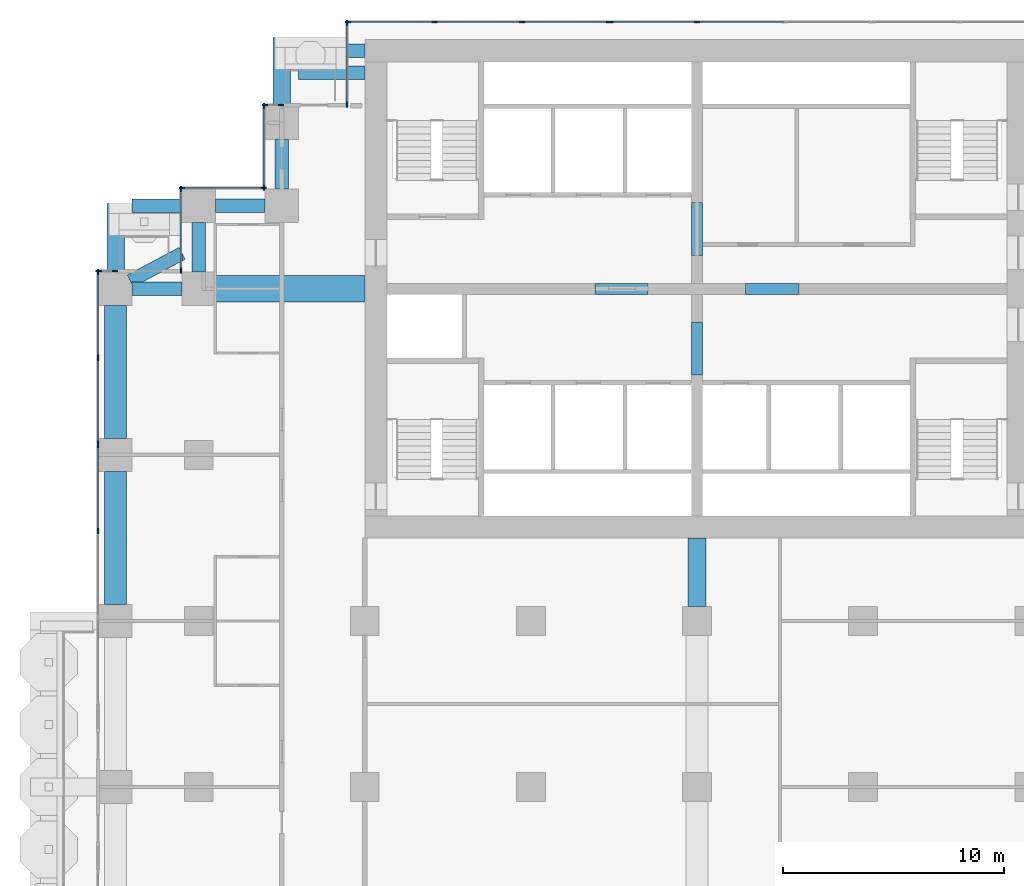
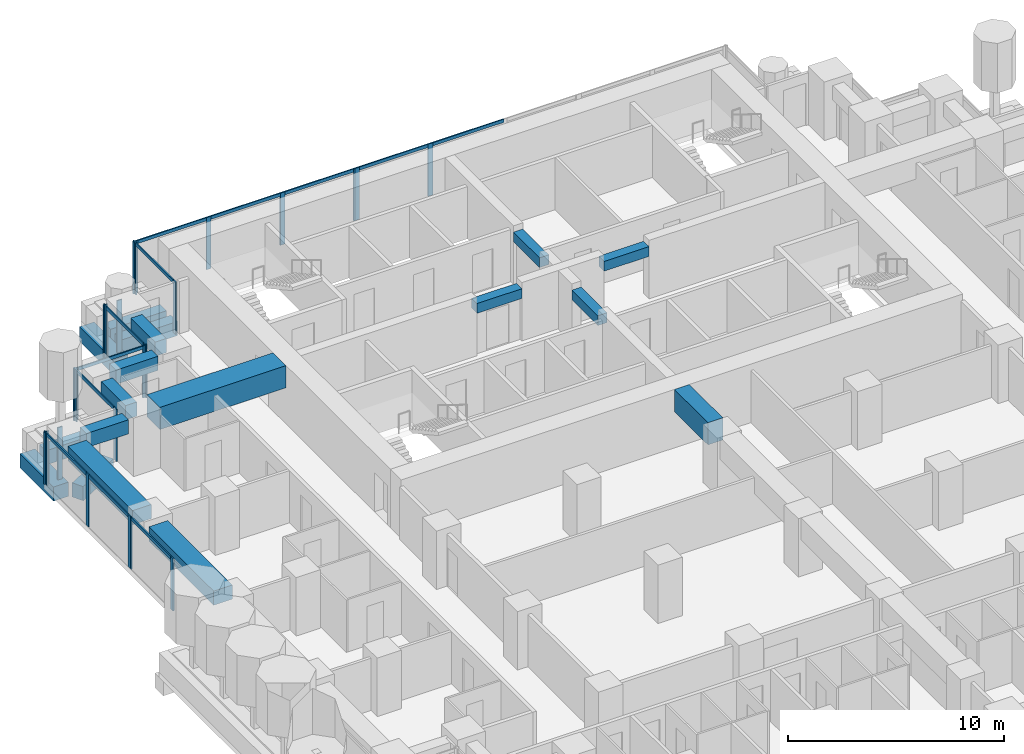
# One storey, part 5 of 20: 35 members, 18 beams, 10 elements without a shape of their own.
"""IFC4 building model written with IfcOpenShell, lengths in metres."""

from ifc_helpers import new_model, si_unit, direction, frame, origin, origin_2d, place, context, subcontext, project, spatial, rectangle, extrude, material, material_profile, profile_set, type_object, element, aggregate, save


model = new_model("IFC4")

# Units and contexts
model_context = context("Model", 3, precision=1e-05, world=origin(), true_north=direction((0.0, 1.0)))
body_context = subcontext(model_context, "Body", "Model", "MODEL_VIEW")
ifc_project = project(units=[si_unit("LENGTHUNIT", "METRE"), si_unit("AREAUNIT", "SQUARE_METRE"), si_unit("VOLUMEUNIT", "CUBIC_METRE"), si_unit("PLANEANGLEUNIT", "RADIAN"), si_unit("MASSUNIT", "GRAM", prefix="KILO")], contexts=[model_context])

# Site, building, storey
site_placement = place(None, origin())
site = spatial("IfcSite", under=ifc_project, at=site_placement, CompositionType="ELEMENT")
building_placement = place(site_placement, origin())
building = spatial("IfcBuilding", under=site, at=building_placement, Name="Pilkhan Gate Tower", CompositionType="ELEMENT")
storey_placement = place(building_placement, frame((0.0, 0.0, 98.89990234375)))
storey = spatial("IfcBuildingStorey", under=building, at=storey_placement, Name="L24", CompositionType="ELEMENT", Elevation=98.89990234375)

# Beams
ifc_material_1 = material(Name="Concrete C50/60", Category="concrete")
ifc_material_profile_1 = material_profile(ifc_material_1, rectangle(XDim=0.60009765625, YDim=0.800048828125, at=origin_2d()), Name="RC 600x800")
ifc_profile_set_1 = profile_set([ifc_material_profile_1], Name="Concrete C50/60")
beam_type_1 = type_object("IfcBeamType", Name="Cantilever beam CB1 RC 600x800 C50/60", PredefinedType="BEAM", material=ifc_profile_set_1)
for number, where, z_axis, x_axis, name in (
    (1, (60.0, 93.25, -0.699951171875), (-1.0, 0.0, 0.0), (0.0, -1.0, 0.0), "Balcony beam NW.2 L24"),
    (2, (60.0, 92.25, -0.699951171875), (-1.0, 0.0, 0.0), (0.0, -1.0, 0.0), "Balcony beam NW.3 L24"),
):
    element("IfcBeam", number, at=place(storey_placement, frame(where, z_axis=z_axis, x_axis=x_axis)), inside=storey, type_object=beam_type_1, Name=name, PredefinedType="BEAM", context=body_context, shape_type="SweptSolid", body=[
        extrude(rectangle(XDim=0.60009765625, YDim=0.800048828125, at=origin_2d()), origin(), (0.0, 0.0, 1.0), 3.0),
    ])
beam_1_placement = place(storey_placement, frame((51.75, 86.25, -0.699951171875), z_axis=(-1.0, 0.0, 0.0), x_axis=(0.0, -1.0, 0.0)))
element("IfcBeam", 3, at=beam_1_placement, inside=storey, type_object=beam_type_1, Name="Balcony beam NW2.2 L24", PredefinedType="BEAM", context=body_context, shape_type="SweptSolid", body=[
    extrude(rectangle(XDim=0.60009765625, YDim=0.800048828125, at=origin_2d()), origin(), (0.0, 0.0, 1.0), 2.25),
])
beam_2_placement = place(storey_placement, frame((49.411865234375, 82.85302734375, -0.699951171875), z_axis=(0.882342739565, 0.470607362817, 0.0), x_axis=(-0.470607362817, 0.882342739565, 0.0)))
element("IfcBeam", 4, at=beam_2_placement, inside=storey, type_object=beam_type_1, Name="Balcony beam NW2.3 L24", PredefinedType="BEAM", context=body_context, shape_type="SweptSolid", body=[
    extrude(rectangle(XDim=0.60009765625, YDim=0.800048828125, at=origin_2d()), origin(), (0.0, 0.0, 1.0), 2.64990234375),
])
ifc_material_profile_2 = material_profile(ifc_material_1, rectangle(XDim=0.800048828125, YDim=0.800048828125, at=origin_2d()), Name="RC 800x800")
ifc_profile_set_2 = profile_set([ifc_material_profile_2], Name="Concrete C50/60")
beam_type_2 = type_object("IfcBeamType", Name="Cantilever beam CB2 RC 800x800 C50/60", PredefinedType="BEAM", material=ifc_profile_set_2)
for number, where, z_axis, x_axis, name in (
    (5, (56.25, 90.75, -0.699951171875), (0.0, 1.0, 0.0), (-1.0, 0.0, 0.0), "Balcony beam NW.1 L24"),
    (6, (48.75, 83.25, -0.699951171875), (0.0, 1.0, 0.0), (-1.0, 0.0, 0.0), "Balcony beam NW2.1 L24"),
):
    element("IfcBeam", number, at=place(storey_placement, frame(where, z_axis=z_axis, x_axis=x_axis)), inside=storey, type_object=beam_type_2, Name=name, PredefinedType="BEAM", context=body_context, shape_type="SweptSolid", body=[
        extrude(rectangle(XDim=0.800048828125, YDim=0.800048828125, at=origin_2d()), origin(), (0.0, 0.0, 1.0), 3.10009765625),
    ])
ifc_material_2 = material(Name="Concrete C70/85", Category="concrete")
ifc_material_profile_3 = material_profile(ifc_material_2, rectangle(XDim=0.5, YDim=0.550048828125, at=origin_2d()), Name="RC 500x550")
ifc_profile_set_3 = profile_set([ifc_material_profile_3], Name="Concrete C70/85")
beam_type_3 = type_object("IfcBeamType", Name="Coupling beam CB55 RC 500x550 C70/85", PredefinedType="LINTEL", material=ifc_profile_set_3)
for number, where, z_axis, x_axis, name in (
    (7, (70.39990234375, 82.5, 2.675048828125), (1.0, 0.0, 0.0), (0.0, 1.0, 0.0), "Coupling beam 1 L24"),
    (8, (77.199951171875, 82.5, 2.675048828125), (1.0, 0.0, 0.0), (0.0, 1.0, 0.0), "Coupling beam 2 L24"),
):
    element("IfcBeam", number, at=place(storey_placement, frame(where, z_axis=z_axis, x_axis=x_axis)), inside=storey, type_object=beam_type_3, Name=name, PredefinedType="LINTEL", context=body_context, shape_type="SweptSolid", body=[
        extrude(rectangle(XDim=0.5, YDim=0.550048828125, at=origin_2d()), origin(), (0.0, 0.0, 1.0), 2.400146484375),
    ])
for number, where, z_axis, x_axis, name in (
    (9, (75.0, 78.60009765625, 2.675048828125), (0.0, 1.0, 0.0), (-1.0, 0.0, 0.0), "Coupling beam 3 L24"),
    (10, (75.0, 84.0, 2.675048828125), (0.0, 1.0, 0.0), (-1.0, 0.0, 0.0), "Coupling beam 4 L24"),
):
    element("IfcBeam", number, at=place(storey_placement, frame(where, z_axis=z_axis, x_axis=x_axis)), inside=storey, type_object=beam_type_3, Name=name, PredefinedType="LINTEL", context=body_context, shape_type="SweptSolid", body=[
        extrude(rectangle(XDim=0.5, YDim=0.550048828125, at=origin_2d()), origin(), (0.0, 0.0, 1.0), 2.39990234375),
    ])

# Curtain wall, members
ifc_material_3 = material(Name="Pale anodised aluminium, clear low-iron double glazing", Category="aluminium")
curtain_wall_type = type_object("IfcCurtainWallType", Name="Hotel unitised curtain wall CW-H", PredefinedType="USERDEFINED", material=ifc_material_3)
curtain_wall_1_placement = place(storey_placement, origin())
curtain_wall_1 = element("IfcCurtainWall", 11, at=curtain_wall_1_placement, inside=storey, type_object=curtain_wall_type, Name="Hotel unitised curtain wall CW-H L24 N", ObjectType="UNITISED CURTAIN WALL", PredefinedType="USERDEFINED")
ifc_material_4 = material(Name="Pale anodised aluminium", Category="aluminium")
ifc_material_profile_4 = material_profile(ifc_material_4, rectangle(XDim=0.06494140625, YDim=0.25, at=origin_2d()), Name="Mullion 250x65")
ifc_profile_set_4 = profile_set([ifc_material_profile_4], Name="Pale anodised aluminium")
member_type_1 = type_object("IfcMemberType", Name="Mullion CW-H 250x65", PredefinedType="MULLION", material=ifc_profile_set_4)
member_1_placement = place(storey_placement, frame((59.237548828125, 94.544921875, 0.0), z_axis=(0.0, 0.0, 1.0), x_axis=(0.0, 1.0, 0.0)))
member_1 = element("IfcMember", 12, at=member_1_placement, type_object=member_type_1, Name="CW-H mullion 1", PredefinedType="MULLION", context=body_context, shape_type="SweptSolid", body=[
    extrude(rectangle(XDim=0.06494140625, YDim=0.25, at=origin_2d()), origin(), (0.0, 0.0, 1.0), 2.9501953125),
])
member_2_placement = place(storey_placement, frame((63.15380859375, 94.544921875, 0.0), z_axis=(0.0, 0.0, 1.0), x_axis=(0.0, 1.0, 0.0)))
member_2 = element("IfcMember", 13, at=member_2_placement, type_object=member_type_1, Name="CW-H mullion 2", PredefinedType="MULLION", context=body_context, shape_type="SweptSolid", body=[
    extrude(rectangle(XDim=0.06494140625, YDim=0.25, at=origin_2d()), origin(), (0.0, 0.0, 1.0), 2.9501953125),
])
member_3_placement = place(storey_placement, frame((67.1025390625, 94.544921875, 0.0), z_axis=(0.0, 0.0, 1.0), x_axis=(0.0, 1.0, 0.0)))
member_3 = element("IfcMember", 14, at=member_3_placement, type_object=member_type_1, Name="CW-H mullion 3", PredefinedType="MULLION", context=body_context, shape_type="SweptSolid", body=[
    extrude(rectangle(XDim=0.06494140625, YDim=0.25, at=origin_2d()), origin(), (0.0, 0.0, 1.0), 2.9501953125),
])
member_4_placement = place(storey_placement, frame((71.018798828125, 94.544921875, 0.0), z_axis=(0.0, 0.0, 1.0), x_axis=(0.0, 1.0, 0.0)))
member_4 = element("IfcMember", 15, at=member_4_placement, type_object=member_type_1, Name="CW-H mullion 4", PredefinedType="MULLION", context=body_context, shape_type="SweptSolid", body=[
    extrude(rectangle(XDim=0.06494140625, YDim=0.25, at=origin_2d()), origin(), (0.0, 0.0, 1.0), 2.9501953125),
])

curtain_wall_2_placement = place(storey_placement, origin())
curtain_wall_2 = element("IfcCurtainWall", 16, at=curtain_wall_2_placement, inside=storey, type_object=curtain_wall_type, Name="Hotel unitised curtain wall CW-H L24 N", ObjectType="UNITISED CURTAIN WALL", PredefinedType="USERDEFINED")
member_5_placement = place(storey_placement, frame((71.083740234375, 94.544921875, 0.0), z_axis=(0.0, 0.0, 1.0), x_axis=(0.0, 1.0, 0.0)))
member_5 = element("IfcMember", 17, at=member_5_placement, type_object=member_type_1, Name="CW-H mullion 1", PredefinedType="MULLION", context=body_context, shape_type="SweptSolid", body=[
    extrude(rectangle(XDim=0.06494140625, YDim=0.25, at=origin_2d()), origin(), (0.0, 0.0, 1.0), 2.9501953125),
])
member_6_placement = place(storey_placement, frame((75.0, 94.544921875, 0.0), z_axis=(0.0, 0.0, 1.0), x_axis=(0.0, 1.0, 0.0)))
member_6 = element("IfcMember", 18, at=member_6_placement, type_object=member_type_1, Name="CW-H mullion 2", PredefinedType="MULLION", context=body_context, shape_type="SweptSolid", body=[
    extrude(rectangle(XDim=0.06494140625, YDim=0.25, at=origin_2d()), origin(), (0.0, 0.0, 1.0), 2.9501953125),
])

curtain_wall_3_placement = place(storey_placement, origin())
curtain_wall_3 = element("IfcCurtainWall", 19, at=curtain_wall_3_placement, inside=storey, type_object=curtain_wall_type, Name="Hotel unitised curtain wall CW-H L24 W", ObjectType="UNITISED CURTAIN WALL", PredefinedType="USERDEFINED")
member_7_placement = place(storey_placement, frame((59.205078125, 90.827392578125, 0.0), z_axis=(0.0, 0.0, 1.0), x_axis=(-1.0, 0.0, 0.0)))
member_7 = element("IfcMember", 20, at=member_7_placement, type_object=member_type_1, Name="CW-H mullion 1", PredefinedType="MULLION", context=body_context, shape_type="SweptSolid", body=[
    extrude(rectangle(XDim=0.06494140625, YDim=0.25, at=origin_2d()), origin(), (0.0, 0.0, 1.0), 2.9501953125),
])
member_8_placement = place(storey_placement, frame((59.205078125, 94.512451171875, 0.0), z_axis=(0.0, 0.0, 1.0), x_axis=(-1.0, 0.0, 0.0)))
member_8 = element("IfcMember", 21, at=member_8_placement, type_object=member_type_1, Name="CW-H mullion 2", PredefinedType="MULLION", context=body_context, shape_type="SweptSolid", body=[
    extrude(rectangle(XDim=0.06494140625, YDim=0.25, at=origin_2d()), origin(), (0.0, 0.0, 1.0), 2.9501953125),
])

curtain_wall_4_placement = place(storey_placement, origin())
curtain_wall_4 = element("IfcCurtainWall", 22, at=curtain_wall_4_placement, inside=storey, type_object=curtain_wall_type, Name="Hotel unitised curtain wall CW-H L24 N", ObjectType="UNITISED CURTAIN WALL", PredefinedType="USERDEFINED")
member_9_placement = place(storey_placement, frame((55.487548828125, 90.794921875, 0.0), z_axis=(0.0, 0.0, 1.0), x_axis=(0.0, 1.0, 0.0)))
member_9 = element("IfcMember", 23, at=member_9_placement, type_object=member_type_1, Name="CW-H mullion 1", PredefinedType="MULLION", context=body_context, shape_type="SweptSolid", body=[
    extrude(rectangle(XDim=0.06494140625, YDim=0.25, at=origin_2d()), origin(), (0.0, 0.0, 1.0), 2.9501953125),
])
member_10_placement = place(storey_placement, frame((56.217529296875, 90.794921875, 0.0), z_axis=(0.0, 0.0, 1.0), x_axis=(0.0, 1.0, 0.0)))
member_10 = element("IfcMember", 24, at=member_10_placement, type_object=member_type_1, Name="CW-H mullion 2", PredefinedType="MULLION", context=body_context, shape_type="SweptSolid", body=[
    extrude(rectangle(XDim=0.06494140625, YDim=0.25, at=origin_2d()), origin(), (0.0, 0.0, 1.0), 2.9501953125),
])
aggregate(curtain_wall_4, [member_9, member_10])

curtain_wall_5_placement = place(storey_placement, origin())
curtain_wall_5 = element("IfcCurtainWall", 25, at=curtain_wall_5_placement, inside=storey, type_object=curtain_wall_type, Name="Hotel unitised curtain wall CW-H L24 W", ObjectType="UNITISED CURTAIN WALL", PredefinedType="USERDEFINED")
member_11_placement = place(storey_placement, frame((55.455078125, 87.077392578125, 0.0), z_axis=(0.0, 0.0, 1.0), x_axis=(-1.0, 0.0, 0.0)))
member_11 = element("IfcMember", 26, at=member_11_placement, type_object=member_type_1, Name="CW-H mullion 1", PredefinedType="MULLION", context=body_context, shape_type="SweptSolid", body=[
    extrude(rectangle(XDim=0.06494140625, YDim=0.25, at=origin_2d()), origin(), (0.0, 0.0, 1.0), 2.9501953125),
])
member_12_placement = place(storey_placement, frame((55.455078125, 90.762451171875, 0.0), z_axis=(0.0, 0.0, 1.0), x_axis=(-1.0, 0.0, 0.0)))
member_12 = element("IfcMember", 27, at=member_12_placement, type_object=member_type_1, Name="CW-H mullion 2", PredefinedType="MULLION", context=body_context, shape_type="SweptSolid", body=[
    extrude(rectangle(XDim=0.06494140625, YDim=0.25, at=origin_2d()), origin(), (0.0, 0.0, 1.0), 2.9501953125),
])

curtain_wall_6_placement = place(storey_placement, origin())
curtain_wall_6 = element("IfcCurtainWall", 28, at=curtain_wall_6_placement, inside=storey, type_object=curtain_wall_type, Name="Hotel unitised curtain wall CW-H L24 N", ObjectType="UNITISED CURTAIN WALL", PredefinedType="USERDEFINED")
member_13_placement = place(storey_placement, frame((51.737548828125, 87.044921875, 0.0), z_axis=(0.0, 0.0, 1.0), x_axis=(0.0, 1.0, 0.0)))
member_13 = element("IfcMember", 29, at=member_13_placement, type_object=member_type_1, Name="CW-H mullion 1", PredefinedType="MULLION", context=body_context, shape_type="SweptSolid", body=[
    extrude(rectangle(XDim=0.06494140625, YDim=0.25, at=origin_2d()), origin(), (0.0, 0.0, 1.0), 2.9501953125),
])
member_14_placement = place(storey_placement, frame((55.422607421875, 87.044921875, 0.0), z_axis=(0.0, 0.0, 1.0), x_axis=(0.0, 1.0, 0.0)))
member_14 = element("IfcMember", 30, at=member_14_placement, type_object=member_type_1, Name="CW-H mullion 2", PredefinedType="MULLION", context=body_context, shape_type="SweptSolid", body=[
    extrude(rectangle(XDim=0.06494140625, YDim=0.25, at=origin_2d()), origin(), (0.0, 0.0, 1.0), 2.9501953125),
])

curtain_wall_7_placement = place(storey_placement, origin())
curtain_wall_7 = element("IfcCurtainWall", 31, at=curtain_wall_7_placement, inside=storey, type_object=curtain_wall_type, Name="Hotel unitised curtain wall CW-H L24 W", ObjectType="UNITISED CURTAIN WALL", PredefinedType="USERDEFINED")
member_15_placement = place(storey_placement, frame((51.705078125, 83.327392578125, 0.0), z_axis=(0.0, 0.0, 1.0), x_axis=(-1.0, 0.0, 0.0)))
member_15 = element("IfcMember", 32, at=member_15_placement, type_object=member_type_1, Name="CW-H mullion 1", PredefinedType="MULLION", context=body_context, shape_type="SweptSolid", body=[
    extrude(rectangle(XDim=0.06494140625, YDim=0.25, at=origin_2d()), origin(), (0.0, 0.0, 1.0), 2.9501953125),
])
member_16_placement = place(storey_placement, frame((51.705078125, 87.012451171875, 0.0), z_axis=(0.0, 0.0, 1.0), x_axis=(-1.0, 0.0, 0.0)))
member_16 = element("IfcMember", 33, at=member_16_placement, type_object=member_type_1, Name="CW-H mullion 2", PredefinedType="MULLION", context=body_context, shape_type="SweptSolid", body=[
    extrude(rectangle(XDim=0.06494140625, YDim=0.25, at=origin_2d()), origin(), (0.0, 0.0, 1.0), 2.9501953125),
])

curtain_wall_8_placement = place(storey_placement, origin())
curtain_wall_8 = element("IfcCurtainWall", 34, at=curtain_wall_8_placement, inside=storey, type_object=curtain_wall_type, Name="Hotel unitised curtain wall CW-H L24 N", ObjectType="UNITISED CURTAIN WALL", PredefinedType="USERDEFINED")
member_17_placement = place(storey_placement, frame((47.987548828125, 83.294921875, 0.0), z_axis=(0.0, 0.0, 1.0), x_axis=(0.0, 1.0, 0.0)))
member_17 = element("IfcMember", 35, at=member_17_placement, type_object=member_type_1, Name="CW-H mullion 1", PredefinedType="MULLION", context=body_context, shape_type="SweptSolid", body=[
    extrude(rectangle(XDim=0.06494140625, YDim=0.25, at=origin_2d()), origin(), (0.0, 0.0, 1.0), 2.9501953125),
])
member_18_placement = place(storey_placement, frame((48.717529296875, 83.294921875, 0.0), z_axis=(0.0, 0.0, 1.0), x_axis=(0.0, 1.0, 0.0)))
member_18 = element("IfcMember", 36, at=member_18_placement, type_object=member_type_1, Name="CW-H mullion 2", PredefinedType="MULLION", context=body_context, shape_type="SweptSolid", body=[
    extrude(rectangle(XDim=0.06494140625, YDim=0.25, at=origin_2d()), origin(), (0.0, 0.0, 1.0), 2.9501953125),
])
aggregate(curtain_wall_8, [member_17, member_18])

curtain_wall_9_placement = place(storey_placement, origin())
curtain_wall_9 = element("IfcCurtainWall", 37, at=curtain_wall_9_placement, inside=storey, type_object=curtain_wall_type, Name="Hotel unitised curtain wall CW-H L24 W", ObjectType="UNITISED CURTAIN WALL", PredefinedType="USERDEFINED")
member_19_placement = place(storey_placement, frame((47.955078125, 71.568115234375, 0.0), z_axis=(0.0, 0.0, 1.0), x_axis=(-1.0, 0.0, 0.0)))
member_19 = element("IfcMember", 38, at=member_19_placement, type_object=member_type_1, Name="CW-H mullion 3", PredefinedType="MULLION", context=body_context, shape_type="SweptSolid", body=[
    extrude(rectangle(XDim=0.06494140625, YDim=0.25, at=origin_2d()), origin(), (0.0, 0.0, 1.0), 2.9501953125),
])
member_20_placement = place(storey_placement, frame((47.955078125, 75.444580078125, 0.0), z_axis=(0.0, 0.0, 1.0), x_axis=(-1.0, 0.0, 0.0)))
member_20 = element("IfcMember", 39, at=member_20_placement, type_object=member_type_1, Name="CW-H mullion 4", PredefinedType="MULLION", context=body_context, shape_type="SweptSolid", body=[
    extrude(rectangle(XDim=0.06494140625, YDim=0.25, at=origin_2d()), origin(), (0.0, 0.0, 1.0), 2.9501953125),
])

curtain_wall_10_placement = place(storey_placement, origin())
curtain_wall_10 = element("IfcCurtainWall", 40, at=curtain_wall_10_placement, inside=storey, type_object=curtain_wall_type, Name="Hotel unitised curtain wall CW-H L24 W", ObjectType="UNITISED CURTAIN WALL", PredefinedType="USERDEFINED")
member_21_placement = place(storey_placement, frame((47.955078125, 75.509521484375, 0.0), z_axis=(0.0, 0.0, 1.0), x_axis=(-1.0, 0.0, 0.0)))
member_21 = element("IfcMember", 41, at=member_21_placement, type_object=member_type_1, Name="CW-H mullion 1", PredefinedType="MULLION", context=body_context, shape_type="SweptSolid", body=[
    extrude(rectangle(XDim=0.06494140625, YDim=0.25, at=origin_2d()), origin(), (0.0, 0.0, 1.0), 2.9501953125),
])
member_22_placement = place(storey_placement, frame((47.955078125, 79.385986328125, 0.0), z_axis=(0.0, 0.0, 1.0), x_axis=(-1.0, 0.0, 0.0)))
member_22 = element("IfcMember", 42, at=member_22_placement, type_object=member_type_1, Name="CW-H mullion 2", PredefinedType="MULLION", context=body_context, shape_type="SweptSolid", body=[
    extrude(rectangle(XDim=0.06494140625, YDim=0.25, at=origin_2d()), origin(), (0.0, 0.0, 1.0), 2.9501953125),
])
member_23_placement = place(storey_placement, frame((47.955078125, 83.262451171875, 0.0), z_axis=(0.0, 0.0, 1.0), x_axis=(-1.0, 0.0, 0.0)))
member_23 = element("IfcMember", 43, at=member_23_placement, type_object=member_type_1, Name="CW-H mullion 3", PredefinedType="MULLION", context=body_context, shape_type="SweptSolid", body=[
    extrude(rectangle(XDim=0.06494140625, YDim=0.25, at=origin_2d()), origin(), (0.0, 0.0, 1.0), 2.9501953125),
])

# Beams
ifc_material_5 = material(Name="Concrete C60/75", Category="concrete")
ifc_material_profile_5 = material_profile(ifc_material_5, rectangle(XDim=0.800048828125, YDim=1.25, at=origin_2d()), Name="RC 800x1250")
ifc_profile_set_5 = profile_set([ifc_material_profile_5], Name="Concrete C60/75")
beam_type_4 = type_object("IfcBeamType", Name="Outrigger support beam OB1 RC 800x1250 C60/75", PredefinedType="BEAM", material=ifc_profile_set_5)
beam_3_placement = place(storey_placement, frame((75.0, 68.14990234375, 2.675048828125), z_axis=(0.0, 1.0, 0.0), x_axis=(-1.0, 0.0, 0.0)))
element("IfcBeam", 44, at=beam_3_placement, inside=storey, type_object=beam_type_4, Name="Outrigger support beam 4 L25", PredefinedType="BEAM", context=body_context, shape_type="SweptSolid", body=[
    extrude(rectangle(XDim=0.800048828125, YDim=1.25, at=origin_2d()), origin(), (0.0, 0.0, 1.0), 3.10009765625),
])
ifc_material_profile_6 = material_profile(ifc_material_5, rectangle(XDim=1.199951171875, YDim=1.25, at=origin_2d()), Name="RC 1200x1250")
ifc_profile_set_6 = profile_set([ifc_material_profile_6], Name="Concrete C60/75")
beam_type_5 = type_object("IfcBeamType", Name="Outrigger support beam OB3 RC 1200x1250 C60/75", PredefinedType="BEAM", material=ifc_profile_set_6)
beam_4_placement = place(storey_placement, frame((53.25, 82.5, 2.675048828125), z_axis=(1.0, 0.0, 0.0), x_axis=(0.0, 1.0, 0.0)))
element("IfcBeam", 45, at=beam_4_placement, inside=storey, type_object=beam_type_5, Name="Outrigger support beam 1 L25", PredefinedType="BEAM", context=body_context, shape_type="SweptSolid", body=[
    extrude(rectangle(XDim=1.199951171875, YDim=1.25, at=origin_2d()), origin(), (0.0, 0.0, 1.0), 6.75),
])
ifc_material_profile_7 = material_profile(ifc_material_1, rectangle(XDim=0.60009765625, YDim=0.800048828125, at=origin_2d()), Name="RC 600x800")
ifc_profile_set_7 = profile_set([ifc_material_profile_7], Name="Concrete C50/60")
beam_type_6 = type_object("IfcBeamType", Name="Terrace edge beam TEB RC 600x800 C50/60", PredefinedType="BEAM", material=ifc_profile_set_7)
for number, where, z_axis, x_axis, name in (
    (46, (49.5, 82.5, 2.550048828125), (1.0, 0.0, 0.0), (0.0, 1.0, 0.0), "Terrace edge beam 21 L25"),
    (47, (52.5, 83.25, 2.550048828125), (0.0, 1.0, 0.0), (-1.0, 0.0, 0.0), "Terrace edge beam 22 L25"),
    (48, (53.25, 86.25, 2.550048828125), (1.0, 0.0, 0.0), (0.0, 1.0, 0.0), "Terrace edge beam 23 L25"),
    (49, (56.25, 87.0, 2.550048828125), (0.0, 1.0, 0.0), (-1.0, 0.0, 0.0), "Terrace edge beam 24 L25"),
):
    element("IfcBeam", number, at=place(storey_placement, frame(where, z_axis=z_axis, x_axis=x_axis)), inside=storey, type_object=beam_type_6, Name=name, PredefinedType="BEAM", context=body_context, shape_type="SweptSolid", body=[
        extrude(rectangle(XDim=0.60009765625, YDim=0.800048828125, at=origin_2d()), origin(), (0.0, 0.0, 1.0), 2.25),
    ])
ifc_material_profile_8 = material_profile(ifc_material_1, rectangle(XDim=1.0, YDim=0.800048828125, at=origin_2d()), Name="RC 1000x800")
ifc_profile_set_8 = profile_set([ifc_material_profile_8], Name="Concrete C50/60")
beam_type_7 = type_object("IfcBeamType", Name="Terrace edge beam TEB10W RC 1000x800 C50/60", PredefinedType="BEAM", material=ifc_profile_set_8)
for number, where, z_axis, x_axis, name in (
    (50, (48.75, 68.25, 2.550048828125), (0.0, 1.0, 0.0), (-1.0, 0.0, 0.0), "Terrace edge beam 19 L25"),
    (51, (48.75, 75.75, 2.550048828125), (0.0, 1.0, 0.0), (-1.0, 0.0, 0.0), "Terrace edge beam 20 L25"),
):
    element("IfcBeam", number, at=place(storey_placement, frame(where, z_axis=z_axis, x_axis=x_axis)), inside=storey, type_object=beam_type_7, Name=name, PredefinedType="BEAM", context=body_context, shape_type="SweptSolid", body=[
        extrude(rectangle(XDim=1.0, YDim=0.800048828125, at=origin_2d()), origin(), (0.0, 0.0, 1.0), 6.0),
    ])

# Member
ifc_material_profile_9 = material_profile(ifc_material_4, rectangle(XDim=0.06494140625, YDim=0.179931640625, at=origin_2d()), Name="Transom 180x65")
ifc_profile_set_9 = profile_set([ifc_material_profile_9], Name="Pale anodised aluminium")
member_type_2 = type_object("IfcMemberType", Name="Transom CW-H 180x65", PredefinedType="USERDEFINED", material=ifc_profile_set_9)
member_24_placement = place(storey_placement, frame((59.27001953125, 94.544921875, 2.860107421875), z_axis=(1.0, 0.0, 0.0), x_axis=(0.0, 1.0, 0.0)))
member_24 = element("IfcMember", 52, at=member_24_placement, type_object=member_type_2, Name="CW-H transom 1", ObjectType="TRANSOM", PredefinedType="USERDEFINED", context=body_context, shape_type="SweptSolid", body=[
    extrude(rectangle(XDim=0.06494140625, YDim=0.179931640625, at=origin_2d()), origin(), (0.0, 0.0, 1.0), 3.851318359375),
])

member_25_placement = place(storey_placement, frame((63.186279296875, 94.544921875, 2.860107421875), z_axis=(1.0, 0.0, 0.0), x_axis=(0.0, 1.0, 0.0)))
member_25 = element("IfcMember", 53, at=member_25_placement, type_object=member_type_2, Name="CW-H transom 2", ObjectType="TRANSOM", PredefinedType="USERDEFINED", context=body_context, shape_type="SweptSolid", body=[
    extrude(rectangle(XDim=0.06494140625, YDim=0.179931640625, at=origin_2d()), origin(), (0.0, 0.0, 1.0), 3.8837890625),
])

member_26_placement = place(storey_placement, frame((67.135009765625, 94.544921875, 2.860107421875), z_axis=(1.0, 0.0, 0.0), x_axis=(0.0, 1.0, 0.0)))
member_26 = element("IfcMember", 54, at=member_26_placement, type_object=member_type_2, Name="CW-H transom 3", ObjectType="TRANSOM", PredefinedType="USERDEFINED", context=body_context, shape_type="SweptSolid", body=[
    extrude(rectangle(XDim=0.06494140625, YDim=0.179931640625, at=origin_2d()), origin(), (0.0, 0.0, 1.0), 3.851318359375),
])

aggregate(curtain_wall_1, [member_1, member_2, member_3, member_4, member_24, member_25, member_26])

member_27_placement = place(storey_placement, frame((71.1162109375, 94.544921875, 2.860107421875), z_axis=(1.0, 0.0, 0.0), x_axis=(0.0, 1.0, 0.0)))
member_27 = element("IfcMember", 55, at=member_27_placement, type_object=member_type_2, Name="CW-H transom 1", ObjectType="TRANSOM", PredefinedType="USERDEFINED", context=body_context, shape_type="SweptSolid", body=[
    extrude(rectangle(XDim=0.06494140625, YDim=0.179931640625, at=origin_2d()), origin(), (0.0, 0.0, 1.0), 3.851318359375),
])

member_28_placement = place(storey_placement, frame((75.032470703125, 94.544921875, 2.860107421875), z_axis=(1.0, 0.0, 0.0), x_axis=(0.0, 1.0, 0.0)))
member_28 = element("IfcMember", 56, at=member_28_placement, type_object=member_type_2, Name="CW-H transom 2", ObjectType="TRANSOM", PredefinedType="USERDEFINED", context=body_context, shape_type="SweptSolid", body=[
    extrude(rectangle(XDim=0.06494140625, YDim=0.179931640625, at=origin_2d()), origin(), (0.0, 0.0, 1.0), 3.8837890625),
])

aggregate(curtain_wall_2, [member_5, member_6, member_27, member_28])

member_29_placement = place(storey_placement, frame((59.205078125, 90.860107421875, 2.860107421875), z_axis=(0.0, 1.0, 0.0), x_axis=(-1.0, 0.0, 0.0)))
member_29 = element("IfcMember", 57, at=member_29_placement, type_object=member_type_2, Name="CW-H transom 1", ObjectType="TRANSOM", PredefinedType="USERDEFINED", context=body_context, shape_type="SweptSolid", body=[
    extrude(rectangle(XDim=0.06494140625, YDim=0.179931640625, at=origin_2d()), origin(), (0.0, 0.0, 1.0), 3.619873046875),
])

aggregate(curtain_wall_3, [member_7, member_8, member_29])

member_30_placement = place(storey_placement, frame((55.455078125, 87.110107421875, 2.860107421875), z_axis=(0.0, 1.0, 0.0), x_axis=(-1.0, 0.0, 0.0)))
member_30 = element("IfcMember", 58, at=member_30_placement, type_object=member_type_2, Name="CW-H transom 1", ObjectType="TRANSOM", PredefinedType="USERDEFINED", context=body_context, shape_type="SweptSolid", body=[
    extrude(rectangle(XDim=0.06494140625, YDim=0.179931640625, at=origin_2d()), origin(), (0.0, 0.0, 1.0), 3.619873046875),
])

aggregate(curtain_wall_5, [member_11, member_12, member_30])

member_31_placement = place(storey_placement, frame((51.77001953125, 87.044921875, 2.860107421875), z_axis=(1.0, 0.0, 0.0), x_axis=(0.0, 1.0, 0.0)))
member_31 = element("IfcMember", 59, at=member_31_placement, type_object=member_type_2, Name="CW-H transom 1", ObjectType="TRANSOM", PredefinedType="USERDEFINED", context=body_context, shape_type="SweptSolid", body=[
    extrude(rectangle(XDim=0.06494140625, YDim=0.179931640625, at=origin_2d()), origin(), (0.0, 0.0, 1.0), 3.619873046875),
])

aggregate(curtain_wall_6, [member_13, member_14, member_31])

member_32_placement = place(storey_placement, frame((51.705078125, 83.360107421875, 2.860107421875), z_axis=(0.0, 1.0, 0.0), x_axis=(-1.0, 0.0, 0.0)))
member_32 = element("IfcMember", 60, at=member_32_placement, type_object=member_type_2, Name="CW-H transom 1", ObjectType="TRANSOM", PredefinedType="USERDEFINED", context=body_context, shape_type="SweptSolid", body=[
    extrude(rectangle(XDim=0.06494140625, YDim=0.179931640625, at=origin_2d()), origin(), (0.0, 0.0, 1.0), 3.619873046875),
])

aggregate(curtain_wall_7, [member_15, member_16, member_32])

member_33_placement = place(storey_placement, frame((47.955078125, 71.6005859375, 2.860107421875), z_axis=(0.0, 1.0, 0.0), x_axis=(-1.0, 0.0, 0.0)))
member_33 = element("IfcMember", 61, at=member_33_placement, type_object=member_type_2, Name="CW-H transom 3", ObjectType="TRANSOM", PredefinedType="USERDEFINED", context=body_context, shape_type="SweptSolid", body=[
    extrude(rectangle(XDim=0.06494140625, YDim=0.179931640625, at=origin_2d()), origin(), (0.0, 0.0, 1.0), 3.8115234375),
])

aggregate(curtain_wall_9, [member_19, member_20, member_33])

member_34_placement = place(storey_placement, frame((47.955078125, 75.5419921875, 2.860107421875), z_axis=(0.0, 1.0, 0.0), x_axis=(-1.0, 0.0, 0.0)))
member_34 = element("IfcMember", 62, at=member_34_placement, type_object=member_type_2, Name="CW-H transom 1", ObjectType="TRANSOM", PredefinedType="USERDEFINED", context=body_context, shape_type="SweptSolid", body=[
    extrude(rectangle(XDim=0.06494140625, YDim=0.179931640625, at=origin_2d()), origin(), (0.0, 0.0, 1.0), 3.8115234375),
])

member_35_placement = place(storey_placement, frame((47.955078125, 79.41845703125, 2.860107421875), z_axis=(0.0, 1.0, 0.0), x_axis=(-1.0, 0.0, 0.0)))
member_35 = element("IfcMember", 63, at=member_35_placement, type_object=member_type_2, Name="CW-H transom 2", ObjectType="TRANSOM", PredefinedType="USERDEFINED", context=body_context, shape_type="SweptSolid", body=[
    extrude(rectangle(XDim=0.06494140625, YDim=0.179931640625, at=origin_2d()), origin(), (0.0, 0.0, 1.0), 3.8115234375),
])

aggregate(curtain_wall_10, [member_21, member_22, member_23, member_34, member_35])

save(model, "model.ifc")
